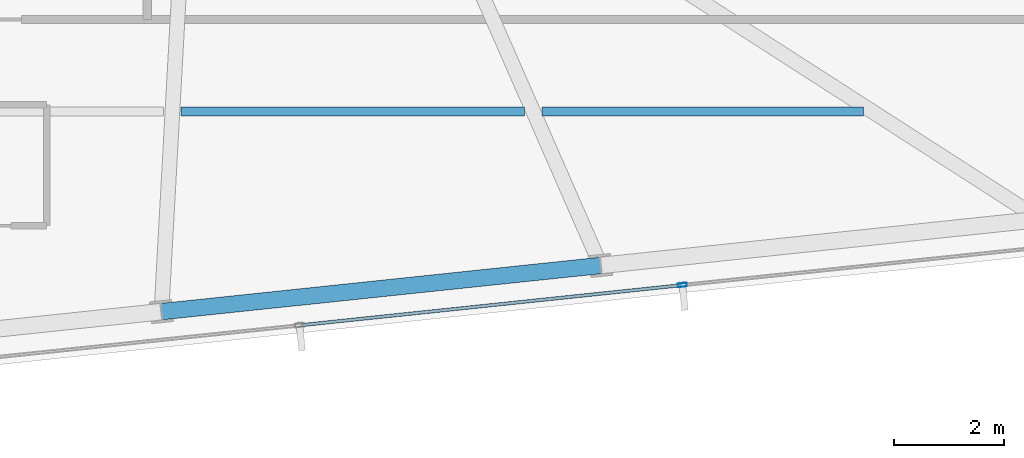
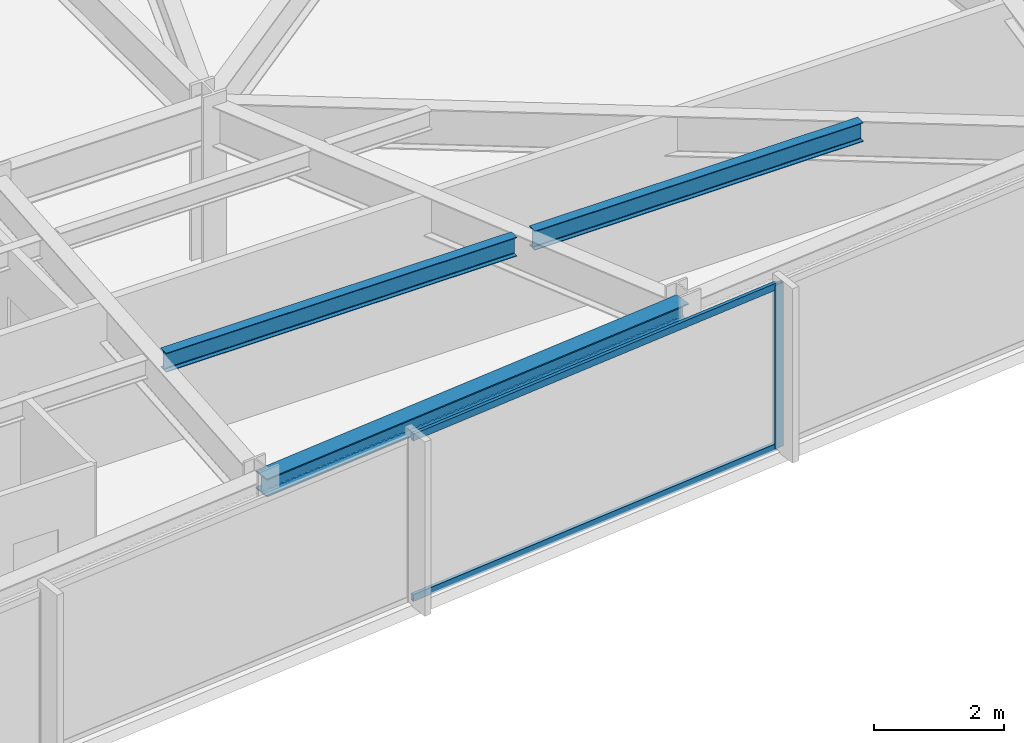
# One storey, part 15 of 33: 3 beams, 3 members, 1 element without a shape of its own.
"""IFC4 building model written with IfcOpenShell, lengths in metres."""

from ifc_helpers import new_model, si_unit, direction, frame, origin, origin_2d, place, context, subcontext, project, spatial, hollow_rectangle, i_section, extrude, material, material_profile, profile_set, type_object, element, aggregate, save


model = new_model("IFC4")

# Units and contexts
model_context = context("Model", 3, precision=1e-05, world=origin(), true_north=direction((0.0, 1.0)))
body_context = subcontext(model_context, "Body", "Model", "MODEL_VIEW")
ifc_project = project(units=[si_unit("LENGTHUNIT", "METRE"), si_unit("AREAUNIT", "SQUARE_METRE"), si_unit("VOLUMEUNIT", "CUBIC_METRE"), si_unit("PLANEANGLEUNIT", "RADIAN"), si_unit("MASSUNIT", "GRAM", prefix="KILO")], contexts=[model_context])

# Site, building, storey
site_placement = place(None, origin())
site = spatial("IfcSite", under=ifc_project, at=site_placement, CompositionType="ELEMENT")
building_placement = place(site_placement, origin())
building = spatial("IfcBuilding", under=site, at=building_placement, Name="Yelkora Congress Tower", CompositionType="ELEMENT")
storey_placement = place(building_placement, frame((0.0, 0.0, 230.89990234375)))
storey = spatial("IfcBuildingStorey", under=building, at=storey_placement, Name="L64", CompositionType="ELEMENT", Elevation=230.89990234375)

# Beams
ifc_material_1 = material(Name="Steel S355J2", Category="steel")
ifc_material_profile_1 = material_profile(ifc_material_1, i_section(OverallWidth=0.169921875, OverallDepth=0.360107421875, WebThickness=0.008056640625, FlangeThickness=0.0126953125, FilletRadius=0.01806640625, at=origin_2d()), Name="IPE 360")
ifc_profile_set_1 = profile_set([ifc_material_profile_1], Name="Steel S355J2")
beam_type_1 = type_object("IfcBeamType", Name="BM-JOIST-IPE360", PredefinedType="JOIST", material=ifc_profile_set_1)
beam_1_placement = place(storey_placement, frame((53.616455078125, 19.678466796875, 2.900146484375), z_axis=(1.0, 0.0, 0.0), x_axis=(0.0, 1.0, 0.0)))
element("IfcBeam", 1, at=beam_1_placement, inside=storey, type_object=beam_type_1, Name="L64 Composite Floor Joist 7", PredefinedType="JOIST", context=body_context, shape_type="SweptSolid", body=[
    extrude(i_section(OverallWidth=0.169921875, OverallDepth=0.360107421875, WebThickness=0.008056640625, FlangeThickness=0.0126953125, FilletRadius=0.01806640625, at=origin_2d()), origin(), (0.0, 0.0, 1.0), 6.2421875),
])
beam_2_placement = place(storey_placement, frame((60.1787109375, 19.678466796875, 2.900146484375), z_axis=(1.0, 0.0, 0.0), x_axis=(0.0, 1.0, 0.0)))
element("IfcBeam", 2, at=beam_2_placement, inside=storey, type_object=beam_type_1, Name="L64 Composite Floor Joist 8", PredefinedType="JOIST", context=body_context, shape_type="SweptSolid", body=[
    extrude(i_section(OverallWidth=0.169921875, OverallDepth=0.360107421875, WebThickness=0.008056640625, FlangeThickness=0.0126953125, FilletRadius=0.01806640625, at=origin_2d()), origin(), (0.0, 0.0, 1.0), 5.84619140625),
])
ifc_material_profile_2 = material_profile(ifc_material_1, i_section(OverallWidth=0.300048828125, OverallDepth=0.340087890625, WebThickness=0.011962890625, FlangeThickness=0.021484375, FilletRadius=0.027099609375, at=origin_2d()), Name="HEB 340")
ifc_profile_set_2 = profile_set([ifc_material_profile_2], Name="Steel S355J2")
beam_type_2 = type_object("IfcBeamType", Name="BM-SPAN-HEB340", PredefinedType="SPANDREL", material=ifc_profile_set_2)
beam_3_placement = place(storey_placement, frame((53.25634765625, 16.037353515625, 2.91015625), z_axis=(0.994520097542, 0.104545567032, 0.0), x_axis=(-0.104545567032, 0.994520097542, 0.0)))
element("IfcBeam", 3, at=beam_3_placement, inside=storey, type_object=beam_type_2, Name="L64 Perimeter Beam 7", PredefinedType="SPANDREL", context=body_context, shape_type="SweptSolid", body=[
    extrude(i_section(OverallWidth=0.300048828125, OverallDepth=0.340087890625, WebThickness=0.011962890625, FlangeThickness=0.021484375, FilletRadius=0.027099609375, at=origin_2d()), origin(), (0.0, 0.0, 1.0), 8.033203125),
])

# Curtain wall, members
ifc_material_2 = material(Name="Anodised aluminium and insulated glass", Category="aluminium")
curtain_wall_type = type_object("IfcCurtainWallType", Name="CW-SYS-B4", PredefinedType="NOTDEFINED", material=ifc_material_2)
curtain_wall_placement = place(storey_placement, origin())
curtain_wall = element("IfcCurtainWall", 4, at=curtain_wall_placement, inside=storey, type_object=curtain_wall_type, Name="L64 Unitised Curtain Wall 20", PredefinedType="NOTDEFINED")
ifc_material_3 = material(Name="Anodised aluminium 6063-T6", Category="aluminium")
ifc_material_profile_3 = material_profile(ifc_material_3, hollow_rectangle(XDim=0.06494140625, YDim=0.159912109375, WallThickness=0.00390625, at=origin_2d()), Name="ALU 65x160x4")
ifc_profile_set_3 = profile_set([ifc_material_profile_3], Name="Anodised aluminium 6063-T6")
member_type_1 = type_object("IfcMemberType", Name="MEM-ML-B4", PredefinedType="MULLION", material=ifc_profile_set_3)
member_1_placement = place(storey_placement, frame((62.731689453125, 16.5205078125, 0.0), z_axis=(0.0, 0.0, 1.0), x_axis=(0.104526664994, -0.994522084373, 0.0)))
member_1 = element("IfcMember", 5, at=member_1_placement, type_object=member_type_1, Name="CW-B4 mullion 2", PredefinedType="MULLION", context=body_context, shape_type="SweptSolid", body=[
    extrude(hollow_rectangle(XDim=0.06494140625, YDim=0.159912109375, WallThickness=0.00390625, at=origin_2d()), origin(), (0.0, 0.0, 1.0), 3.080078125),
])
ifc_material_profile_4 = material_profile(ifc_material_3, hollow_rectangle(XDim=0.06005859375, YDim=0.1298828125, WallThickness=0.00390625, at=origin_2d()), Name="ALU 60x130x4")
ifc_profile_set_4 = profile_set([ifc_material_profile_4], Name="Anodised aluminium 6063-T6")
member_type_2 = type_object("IfcMemberType", Name="MEM-TR-B4", PredefinedType="USERDEFINED", material=ifc_profile_set_4)
member_2_placement = place(storey_placement, frame((62.69921875, 16.51708984375, 0.030029296875), z_axis=(-0.994519904787, -0.104547400648, 0.0), x_axis=(0.104547400648, -0.994519904787, 0.0)))
member_2 = element("IfcMember", 6, at=member_2_placement, type_object=member_type_2, Name="CW-B4 transom 2.1", ObjectType="TRANSOM", PredefinedType="USERDEFINED", context=body_context, shape_type="SweptSolid", body=[
    extrude(hollow_rectangle(XDim=0.06005859375, YDim=0.1298828125, WallThickness=0.00390625, at=origin_2d()), origin(), (0.0, 0.0, 1.0), 6.93798828125),
])
member_3_placement = place(storey_placement, frame((62.69921875, 16.51708984375, 3.050048828125), z_axis=(-0.994519904787, -0.104547400648, 0.0), x_axis=(0.104547400648, -0.994519904787, 0.0)))
member_3 = element("IfcMember", 7, at=member_3_placement, type_object=member_type_2, Name="CW-B4 transom 2.2", ObjectType="TRANSOM", PredefinedType="USERDEFINED", context=body_context, shape_type="SweptSolid", body=[
    extrude(hollow_rectangle(XDim=0.06005859375, YDim=0.1298828125, WallThickness=0.00390625, at=origin_2d()), origin(), (0.0, 0.0, 1.0), 6.93798828125),
])
aggregate(curtain_wall, [member_1, member_2, member_3])

save(model, "model.ifc")
